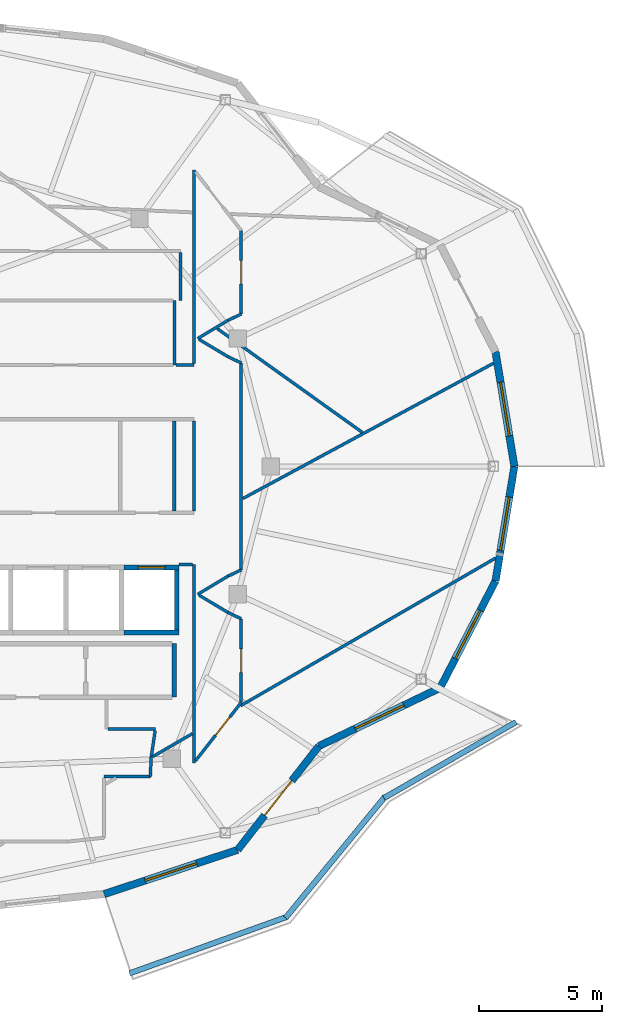
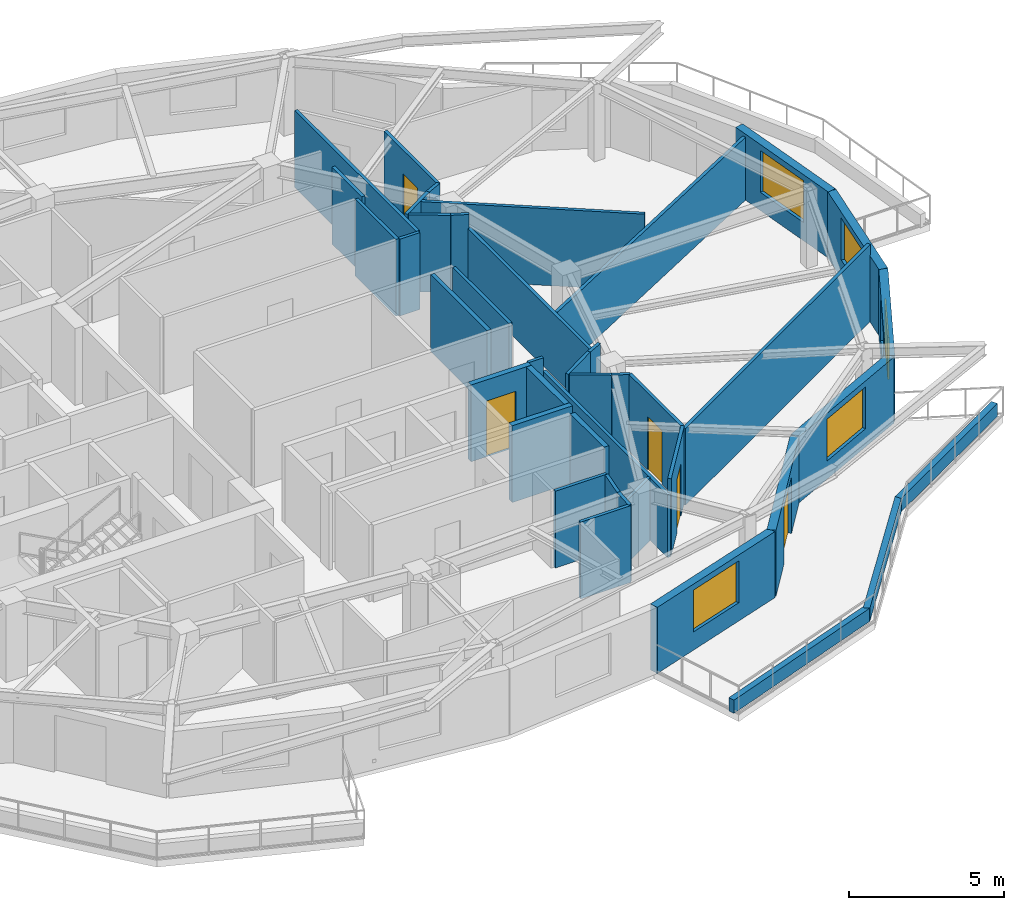
# One storey, part 6 of 9: 41 walls, 5 doors, 5 windows, 10 openings.
"""IFC4 building model written with IfcOpenShell, lengths in metres."""

from ifc_helpers import new_model, si_unit, direction, frame, frame_2d, origin, place, context, subcontext, project, spatial, rectangle, extrude, material, layer, layer_set, type_object, element, fill, save


model = new_model("IFC4")

# Units and contexts
model_context = context("Model", 3, precision=1e-05, world=origin(), true_north=direction((0.0, 1.0)))
body_context = subcontext(model_context, "Body", "Model", "MODEL_VIEW")
ifc_project = project(units=[si_unit("LENGTHUNIT", "METRE"), si_unit("AREAUNIT", "SQUARE_METRE"), si_unit("VOLUMEUNIT", "CUBIC_METRE"), si_unit("PLANEANGLEUNIT", "RADIAN"), si_unit("MASSUNIT", "GRAM", prefix="KILO")], contexts=[model_context])

# Site, building, storey
site_placement = place(None, origin())
site = spatial("IfcSite", under=ifc_project, at=site_placement, CompositionType="ELEMENT")
building_placement = place(site_placement, origin())
building = spatial("IfcBuilding", under=site, at=building_placement, Name="Kolvaren Gate Tower and Convention Centre", CompositionType="ELEMENT")
storey_placement = place(building_placement, frame((0.0, 0.0, 249.199951171875)))
storey = spatial("IfcBuildingStorey", under=building, at=storey_placement, Name="L67", CompositionType="ELEMENT", Elevation=249.199951171875)

# Walls
ifc_material_1 = material(Name="Autoclaved Aerated Masonry Blockwork Class 4 (4.0 MPa)", Category="masonry")
ifc_layer_1 = layer(ifc_material_1, 0.179931640625)
ifc_layer_set_1 = layer_set([ifc_layer_1], Name="Autoclaved Aerated Masonry Blockwork Class 4 (4.0 MPa)")
wall_type_1 = type_object("IfcWallType", Name="ARCH-WL-COMP-180", PredefinedType="SOLIDWALL", material=ifc_layer_set_1)
wall_1_placement = place(storey_placement, frame((38.800048828125, 17.6201171875, 0.0), z_axis=(0.0, 0.0, 1.0), x_axis=(0.0, 1.0, 0.0)))
element("IfcWall", 1, at=wall_1_placement, inside=storey, type_object=wall_type_1, Name="Interior Partition WL-L67-INT-021", PredefinedType="SOLIDWALL", context=body_context, shape_type="SweptSolid", body=[
    extrude(rectangle(XDim=2.179931640625, YDim=0.179931640625, at=frame_2d((1.08984375, 0.0))), origin(), (0.0, 0.0, 1.0), 3.030029296875),
])
ifc_material_2 = material(Name="Fire-Rated Acoustic Gypsum Stud Partition", Category="gypsum")
ifc_layer_2 = layer(ifc_material_2, 0.1201171875)
ifc_layer_set_2 = layer_set([ifc_layer_2], Name="Fire-Rated Acoustic Gypsum Stud Partition")
wall_type_2 = type_object("IfcWallType", Name="ARCH-WL-PART-120", PredefinedType="PARTITIONING", material=ifc_layer_set_2)
wall_2_placement = place(storey_placement, frame((38.800048828125, 31.1201171875, 0.0), z_axis=(0.0, 0.0, 1.0), x_axis=(0.0, 1.0, 0.0)))
element("IfcWall", 2, at=wall_2_placement, inside=storey, type_object=wall_type_2, Name="Interior Partition WL-L67-INT-023", PredefinedType="PARTITIONING", context=body_context, shape_type="SweptSolid", body=[
    extrude(rectangle(XDim=2.6298828125, YDim=0.1201171875, at=frame_2d((1.31494140625, 0.0))), origin(), (0.0, 0.0, 1.0), 3.030029296875),
])
wall_3_placement = place(storey_placement, frame((38.862060546875, 31.1201171875, 0.0), z_axis=(0.0, 0.0, 1.0), x_axis=(1.0, 0.0, 0.0)))
element("IfcWall", 3, at=wall_3_placement, inside=storey, type_object=wall_type_2, Name="Interior Partition WL-L67-INT-024 (2)", PredefinedType="PARTITIONING", context=body_context, shape_type="SweptSolid", body=[
    extrude(rectangle(XDim=0.738037109375, YDim=0.1201171875, at=frame_2d((0.369140625, 0.0))), origin(), (0.0, 0.0, 1.0), 3.030029296875),
])
wall_4_placement = place(storey_placement, frame((39.050048828125, 33.75, 0.0), z_axis=(0.0, 0.0, 1.0), x_axis=(0.0, 1.0, 0.0)))
element("IfcWall", 4, at=wall_4_placement, inside=storey, type_object=wall_type_2, Name="Interior Partition WL-L67-INT-033", PredefinedType="PARTITIONING", context=body_context, shape_type="SweptSolid", body=[
    extrude(rectangle(XDim=1.93798828125, YDim=0.1201171875, at=frame_2d((0.968994140625, 0.0))), origin(), (0.0, 0.0, 1.0), 3.030029296875),
])
wall_5_placement = place(storey_placement, frame((39.60009765625, 14.951904296875, 0.0), z_axis=(0.0, 0.0, 1.0), x_axis=(0.0, 1.0, 0.0)))
element("IfcWall", 5, at=wall_5_placement, inside=storey, type_object=wall_type_2, Name="Interior Partition WL-L67-INT-034", PredefinedType="PARTITIONING", context=body_context, shape_type="SweptSolid", body=[
    extrude(rectangle(XDim=8.068115234375, YDim=0.1201171875, at=frame_2d((4.0341796875, 0.0))), origin(), (0.0, 0.0, 1.0), 2.47802734375),
])
wall_6_placement = place(storey_placement, frame((39.60009765625, 25.197021484375, 0.0), z_axis=(0.0, 0.0, 1.0), x_axis=(0.0, 1.0, 0.0)))
element("IfcWall", 6, at=wall_6_placement, inside=storey, type_object=wall_type_2, Name="Interior Partition WL-L67-INT-035", PredefinedType="PARTITIONING", context=body_context, shape_type="SweptSolid", body=[
    extrude(rectangle(XDim=3.64599609375, YDim=0.1201171875, at=frame_2d((1.822998046875, 0.0))), origin(), (0.0, 0.0, 1.0), 3.030029296875),
])
wall_7_placement = place(storey_placement, frame((39.60009765625, 31.181884765625, 0.0), z_axis=(0.0, 0.0, 1.0), x_axis=(0.0, 1.0, 0.0)))
element("IfcWall", 7, at=wall_7_placement, inside=storey, type_object=wall_type_2, Name="Interior Partition WL-L67-INT-036", PredefinedType="PARTITIONING", context=body_context, shape_type="SweptSolid", body=[
    extrude(rectangle(XDim=7.8662109375, YDim=0.1201171875, at=frame_2d((3.93310546875, 0.0))), origin(), (0.0, 0.0, 1.0), 3.030029296875),
])

# Wall, opening, door
wall_8_placement = place(storey_placement, frame((41.52001953125, 17.404052734375, 0.0), z_axis=(0.0, 0.0, 1.0), x_axis=(0.0, 1.0, 0.0)))
wall_8 = element("IfcWall", 8, at=wall_8_placement, inside=storey, type_object=wall_type_2, Name="Interior Partition WL-L67-INT-038", PredefinedType="PARTITIONING", context=body_context, shape_type="SweptSolid", body=[
    extrude(rectangle(XDim=3.40283203125, YDim=0.1201171875, at=frame_2d((1.701416015625, 0.0))), origin(), (0.0, 0.0, 1.0), 3.030029296875),
])
opening_1_placement = place(wall_8_placement, frame((1.2265625, 0.0, 0.0)))
opening_1 = element("IfcOpeningElement", 9, at=opening_1_placement, cuts=wall_8, Name="Opening DR-01", PredefinedType="OPENING", context=body_context, shape_type="SweptSolid", body=[
    extrude(rectangle(XDim=0.949951171875, YDim=2.10009765625, at=frame_2d((0.47509765625, 1.050048828125))), frame((0.0, 0.070068359375, 0.0), z_axis=(0.0, -1.0, 0.0), x_axis=(1.0, 0.0, 0.0)), (0.0, 0.0, 1.0), 0.14013671875),
])
ifc_material_3 = material(Name="Painted Architectural Steelwork ASTM A500 Grade C 345 MPa", Category="steel")
door_type_1 = type_object("IfcDoorType", Name="ARCH-DR-RISER-950", OperationType="SINGLE_SWING_RIGHT", PredefinedType="DOOR", material=ifc_material_3)
door_1_placement = place(opening_1_placement, origin())
door_1 = element("IfcDoor", 10, at=door_1_placement, inside=storey, type_object=door_type_1, Name="Resident Private Study Door", OperationType="SINGLE_SWING_RIGHT", OverallHeight=2.10009765625, OverallWidth=0.949951171875, PredefinedType="DOOR", context=body_context, shape_type="SweptSolid", body=[
    extrude(rectangle(XDim=0.949951171875, YDim=2.10009765625, at=frame_2d((0.47509765625, 1.050048828125))), frame((0.0, 0.02490234375, 0.0), z_axis=(0.0, -1.0, 0.0), x_axis=(1.0, 0.0, 0.0)), (0.0, 0.0, 1.0), 0.050048828125),
])
fill(opening_1, door_1)

# Wall
wall_9_placement = place(storey_placement, frame((41.52001953125, 22.7939453125, 0.0), z_axis=(0.0, 0.0, 1.0), x_axis=(0.0, 1.0, 0.0)))
element("IfcWall", 11, at=wall_9_placement, inside=storey, type_object=wall_type_2, Name="Interior Partition WL-L67-INT-039", PredefinedType="PARTITIONING", context=body_context, shape_type="SweptSolid", body=[
    extrude(rectangle(XDim=8.412109375, YDim=0.1201171875, at=frame_2d((4.2060546875, 0.0))), origin(), (0.0, 0.0, 1.0), 2.47802734375),
])

# Wall, opening, door
wall_10_placement = place(storey_placement, frame((41.52001953125, 33.193115234375, 0.0), z_axis=(0.0, 0.0, 1.0), x_axis=(0.0, 1.0, 0.0)))
wall_10 = element("IfcWall", 12, at=wall_10_placement, inside=storey, type_object=wall_type_2, Name="Interior Partition WL-L67-INT-040", PredefinedType="PARTITIONING", context=body_context, shape_type="SweptSolid", body=[
    extrude(rectangle(XDim=3.40283203125, YDim=0.1201171875, at=frame_2d((1.701416015625, 0.0))), origin(), (0.0, 0.0, 1.0), 3.030029296875),
])
opening_2_placement = place(wall_10_placement, frame((1.2265625, 0.0, 0.0)))
opening_2 = element("IfcOpeningElement", 13, at=opening_2_placement, cuts=wall_10, Name="Opening DR-01", PredefinedType="OPENING", context=body_context, shape_type="SweptSolid", body=[
    extrude(rectangle(XDim=0.949951171875, YDim=2.10009765625, at=frame_2d((0.47509765625, 1.050048828125))), frame((0.0, 0.070068359375, 0.0), z_axis=(0.0, -1.0, 0.0), x_axis=(1.0, 0.0, 0.0)), (0.0, 0.0, 1.0), 0.14013671875),
])
door_2_placement = place(opening_2_placement, origin())
door_2 = element("IfcDoor", 14, at=door_2_placement, inside=storey, type_object=door_type_1, Name="Penthouse Strategy Boardroom Door", OperationType="SINGLE_SWING_LEFT", OverallHeight=2.10009765625, OverallWidth=0.949951171875, PredefinedType="DOOR", context=body_context, shape_type="SweptSolid", body=[
    extrude(rectangle(XDim=0.949951171875, YDim=2.10009765625, at=frame_2d((0.47509765625, 1.050048828125))), frame((0.0, 0.02490234375, 0.0), z_axis=(0.0, -1.0, 0.0), x_axis=(1.0, 0.0, 0.0)), (0.0, 0.0, 1.0), 0.050048828125),
])
fill(opening_2, door_2)

# Walls
wall_11_placement = place(storey_placement, frame((40.986083984375, 32.93994140625, 0.0), z_axis=(0.0, 0.0, 1.0), x_axis=(0.90356951601, 0.428441512621, 0.0)))
element("IfcWall", 15, at=wall_11_placement, inside=storey, type_object=wall_type_2, Name="Interior Partition WL-L67-INT-041", PredefinedType="PARTITIONING", context=body_context, shape_type="SweptSolid", body=[
    extrude(rectangle(XDim=0.5908203125, YDim=0.1201171875, at=frame_2d((0.29541015625, 0.0))), origin(), (0.0, 0.0, 1.0), 3.030029296875),
])
wall_12_placement = place(storey_placement, frame((39.75, 32.198974609375, 0.0), z_axis=(0.0, 0.0, 1.0), x_axis=(0.857702120906, 0.514146935996, 0.0)))
element("IfcWall", 16, at=wall_12_placement, inside=storey, type_object=wall_type_2, Name="Interior Partition WL-L67-INT-042", PredefinedType="PARTITIONING", context=body_context, shape_type="SweptSolid", body=[
    extrude(rectangle(XDim=1.441162109375, YDim=0.1201171875, at=frame_2d((0.720703125, 0.0))), origin(), (0.0, 0.0, 1.0), 3.030029296875),
])
wall_13_placement = place(storey_placement, frame((39.810302734375, 32.162841796875, 0.0), z_axis=(0.0, 0.0, 1.0), x_axis=(0.858011245414, -0.513630901273, 0.0)))
element("IfcWall", 17, at=wall_13_placement, inside=storey, type_object=wall_type_2, Name="Interior Partition WL-L67-INT-043", PredefinedType="PARTITIONING", context=body_context, shape_type="SweptSolid", body=[
    extrude(rectangle(XDim=1.370361328125, YDim=0.1201171875, at=frame_2d((0.68505859375, 0.0))), origin(), (0.0, 0.0, 1.0), 3.030029296875),
])
for number, where, z_axis, x_axis, name in (
    (18, (40.986083984375, 31.458984375, 0.0), (0.0, 0.0, 1.0), (0.903729424576, -0.428104107847, 0.0), "Interior Partition WL-L67-INT-044"),
    (19, (40.986083984375, 22.541015625, 0.0), (0.0, 0.0, 1.0), (0.903729424576, 0.428104107847, 0.0), "Interior Partition WL-L67-INT-045"),
):
    element("IfcWall", number, at=place(storey_placement, frame(where, z_axis=z_axis, x_axis=x_axis)), inside=storey, type_object=wall_type_2, Name=name, PredefinedType="PARTITIONING", context=body_context, shape_type="SweptSolid", body=[
        extrude(rectangle(XDim=0.5908203125, YDim=0.1201171875, at=frame_2d((0.29541015625, 0.0))), origin(), (0.0, 0.0, 1.0), 3.030029296875),
    ])
wall_14_placement = place(storey_placement, frame((39.75, 21.800048828125, 0.0), z_axis=(0.0, 0.0, 1.0), x_axis=(0.857702120906, 0.514146935996, 0.0)))
element("IfcWall", 20, at=wall_14_placement, inside=storey, type_object=wall_type_2, Name="Interior Partition WL-L67-INT-046", PredefinedType="PARTITIONING", context=body_context, shape_type="SweptSolid", body=[
    extrude(rectangle(XDim=1.441162109375, YDim=0.1201171875, at=frame_2d((0.720703125, 0.0))), origin(), (0.0, 0.0, 1.0), 3.030029296875),
])
wall_15_placement = place(storey_placement, frame((39.810302734375, 21.763916015625, 0.0), z_axis=(0.0, 0.0, 1.0), x_axis=(0.858011245414, -0.513630901273, 0.0)))
element("IfcWall", 21, at=wall_15_placement, inside=storey, type_object=wall_type_2, Name="Interior Partition WL-L67-INT-047", PredefinedType="PARTITIONING", context=body_context, shape_type="SweptSolid", body=[
    extrude(rectangle(XDim=1.370361328125, YDim=0.1201171875, at=frame_2d((0.68505859375, 0.0))), origin(), (0.0, 0.0, 1.0), 3.030029296875),
])
wall_16_placement = place(storey_placement, frame((40.986083984375, 21.06005859375, 0.0), z_axis=(0.0, 0.0, 1.0), x_axis=(0.90356951601, -0.428441512621, 0.0)))
element("IfcWall", 22, at=wall_16_placement, inside=storey, type_object=wall_type_2, Name="Interior Partition WL-L67-INT-048", PredefinedType="PARTITIONING", context=body_context, shape_type="SweptSolid", body=[
    extrude(rectangle(XDim=0.5908203125, YDim=0.1201171875, at=frame_2d((0.29541015625, 0.0))), origin(), (0.0, 0.0, 1.0), 3.030029296875),
])

# Wall, opening, door
wall_17_placement = place(storey_placement, frame((39.662109375, 15.03125, 0.0), z_axis=(0.0, 0.0, 1.0), x_axis=(0.616500468458, 0.787354540465, 0.0)))
wall_17 = element("IfcWall", 23, at=wall_17_placement, inside=storey, type_object=wall_type_2, Name="Interior Partition WL-L67-INT-049", PredefinedType="PARTITIONING", context=body_context, shape_type="SweptSolid", body=[
    extrude(rectangle(XDim=3.013671875, YDim=0.1201171875, at=frame_2d((1.5068359375, 0.0))), origin(), (0.0, 0.0, 1.0), 3.030029296875),
])
opening_3_placement = place(wall_17_placement, frame((1.311767578125, 0.0, 0.0)))
opening_3 = element("IfcOpeningElement", 24, at=opening_3_placement, cuts=wall_17, Name="Opening DR-01", PredefinedType="OPENING", context=body_context, shape_type="SweptSolid", body=[
    extrude(rectangle(XDim=0.949951171875, YDim=2.10009765625, at=frame_2d((0.47509765625, 1.050048828125))), frame((0.0, 0.070068359375, 0.0), z_axis=(0.0, -1.0, 0.0), x_axis=(1.0, 0.0, 0.0)), (0.0, 0.0, 1.0), 0.14013671875),
])
door_3_placement = place(opening_3_placement, origin())
door_3 = element("IfcDoor", 25, at=door_3_placement, inside=storey, type_object=door_type_1, Name="Penthouse Strategy Boardroom Door", OperationType="SINGLE_SWING_LEFT", OverallHeight=2.10009765625, OverallWidth=0.949951171875, PredefinedType="DOOR", context=body_context, shape_type="SweptSolid", body=[
    extrude(rectangle(XDim=0.949951171875, YDim=2.10009765625, at=frame_2d((0.47509765625, 1.050048828125))), frame((0.0, 0.02490234375, 0.0), z_axis=(0.0, -1.0, 0.0), x_axis=(1.0, 0.0, 0.0)), (0.0, 0.0, 1.0), 0.050048828125),
])
fill(opening_3, door_3)

# Walls
wall_18_placement = place(storey_placement, frame((39.0, 23.02001953125, 0.0), z_axis=(0.0, 0.0, 1.0), x_axis=(1.0, 0.0, 0.0)))
element("IfcWall", 26, at=wall_18_placement, inside=storey, type_object=wall_type_2, Name="Interior Partition WL-L67-INT-050", PredefinedType="PARTITIONING", context=body_context, shape_type="SweptSolid", body=[
    extrude(rectangle(XDim=0.5380859375, YDim=0.1201171875, at=frame_2d((0.26904296875, 0.0))), origin(), (0.0, 0.0, 1.0), 3.030029296875),
])
wall_19_placement = place(storey_placement, frame((36.112060546875, 16.320068359375, 0.0), z_axis=(0.0, 0.0, 1.0), x_axis=(1.0, 0.0, 0.0)))
element("IfcWall", 27, at=wall_19_placement, inside=storey, type_object=wall_type_2, Name="Interior Partition WL-L67-INT-053", PredefinedType="PARTITIONING", context=body_context, shape_type="SweptSolid", body=[
    extrude(rectangle(XDim=1.9208984375, YDim=0.1201171875, at=frame_2d((0.96044921875, 0.0))), origin(), (0.0, 0.0, 1.0), 3.030029296875),
])
wall_20_placement = place(storey_placement, frame((37.862060546875, 15.200927734375, 0.0), z_axis=(0.0, 0.0, 1.0), x_axis=(0.150907653202, 0.988547864398, 0.0)))
element("IfcWall", 28, at=wall_20_placement, inside=storey, type_object=wall_type_2, Name="Interior Partition WL-L67-INT-054", PredefinedType="PARTITIONING", context=body_context, shape_type="SweptSolid", body=[
    extrude(rectangle(XDim=1.0693359375, YDim=0.1201171875, at=frame_2d((0.53466796875, 0.0))), origin(), (0.0, 0.0, 1.0), 3.030029296875),
])
wall_21_placement = place(storey_placement, frame((37.822998046875, 14.39990234375, 0.0), z_axis=(0.0, 0.0, 1.0), x_axis=(0.04870773904, 0.998813073682, 0.0)))
element("IfcWall", 29, at=wall_21_placement, inside=storey, type_object=wall_type_2, Name="Interior Partition WL-L67-INT-055", PredefinedType="PARTITIONING", context=body_context, shape_type="SweptSolid", body=[
    extrude(rectangle(XDim=0.802001953125, YDim=0.1201171875, at=frame_2d((0.40087890625, 0.0))), origin(), (0.0, 0.0, 1.0), 3.030029296875),
])
wall_22_placement = place(storey_placement, frame((35.949951171875, 14.39990234375, 0.0), z_axis=(0.0, 0.0, 1.0), x_axis=(1.0, 0.0, 0.0)))
element("IfcWall", 30, at=wall_22_placement, inside=storey, type_object=wall_type_2, Name="Interior Partition WL-L67-INT-057", PredefinedType="PARTITIONING", context=body_context, shape_type="SweptSolid", body=[
    extrude(rectangle(XDim=1.873046875, YDim=0.1201171875, at=frame_2d((0.9365234375, 0.0))), origin(), (0.0, 0.0, 1.0), 3.030029296875),
])
wall_23_placement = place(storey_placement, frame((41.58203125, 25.692626953125, 0.0), z_axis=(0.0, 0.0, 1.0), x_axis=(0.880032375067, 0.474913696195, 0.0)))
element("IfcWall", 31, at=wall_23_placement, inside=storey, type_object=wall_type_2, Name="Interior Partition WL-L67-INT-067", PredefinedType="PARTITIONING", context=body_context, shape_type="SweptSolid", body=[
    extrude(rectangle(XDim=11.5888671875, YDim=0.1201171875, at=frame_2d((5.79443359375, 0.0))), origin(), (0.0, 0.0, 1.0), 2.47802734375),
])
wall_24_placement = place(storey_placement, frame((37.92529296875, 15.2041015625, 0.0), z_axis=(0.0, 0.0, 1.0), x_axis=(0.865342568062, 0.501180845505, 0.0)))
element("IfcWall", 32, at=wall_24_placement, inside=storey, type_object=wall_type_2, Name="Interior Partition WL-L67-INT-070", PredefinedType="PARTITIONING", context=body_context, shape_type="SweptSolid", body=[
    extrude(rectangle(XDim=1.86376953125, YDim=0.1201171875, at=frame_2d((0.931884765625, 0.0))), origin(), (0.0, 0.0, 1.0), 2.47802734375),
])
wall_25_placement = place(storey_placement, frame((41.4951171875, 17.271728515625, 0.0), z_axis=(0.0, 0.0, 1.0), x_axis=(0.865359277242, 0.501151994201, 0.0)))
element("IfcWall", 33, at=wall_25_placement, inside=storey, type_object=wall_type_2, Name="Interior Partition WL-L67-INT-071", PredefinedType="PARTITIONING", context=body_context, shape_type="SweptSolid", body=[
    extrude(rectangle(XDim=11.974853515625, YDim=0.1201171875, at=frame_2d((5.9873046875, 0.0))), origin(), (0.0, 0.0, 1.0), 3.030029296875),
])
wall_26_placement = place(storey_placement, frame((40.5458984375, 32.603759765625, 0.0), z_axis=(0.0, 0.0, 1.0), x_axis=(0.813264440548, -0.581894277116, 0.0)))
element("IfcWall", 34, at=wall_26_placement, inside=storey, type_object=wall_type_2, Name="Interior Partition WL-L67-INT-073", PredefinedType="PARTITIONING", context=body_context, shape_type="SweptSolid", body=[
    extrude(rectangle(XDim=7.249267578125, YDim=0.1201171875, at=frame_2d((3.62451171875, 0.0))), origin(), (0.0, 0.0, 1.0), 3.030029296875),
])
ifc_material_4 = material(Name="Piedmont Cream Honed Limestone Cladding", Category="masonry")
ifc_layer_3 = layer(ifc_material_4, 0.219970703125)
ifc_layer_set_3 = layer_set([ifc_layer_3], Name="Piedmont Cream Honed Limestone Cladding")
wall_type_3 = type_object("IfcWallType", Name="ARCH-WL-PLANTER-220", PredefinedType="PARAPET", material=ifc_layer_set_3)
wall_27_placement = place(storey_placement, frame((36.982177734375, 6.3916015625, 0.0), z_axis=(0.0, 0.0, 1.0), x_axis=(0.941139090914, 0.338019543152, 0.0)))
element("IfcWall", 35, at=wall_27_placement, inside=storey, type_object=wall_type_3, Name="Vertical-Forest Balcony Stone Planter Kerb PK-L67-4.1", PredefinedType="PARAPET", context=body_context, shape_type="SweptSolid", body=[
    extrude(rectangle(XDim=6.806640625, YDim=0.219970703125, at=frame_2d((3.4033203125, 0.0))), origin(), (0.0, 0.0, 1.0), 0.52001953125),
])
wall_28_placement = place(storey_placement, frame((43.322998046875, 8.64599609375, 0.0), z_axis=(0.0, 0.0, 1.0), x_axis=(0.63407318032, 0.77327304492, 0.0)))
element("IfcWall", 36, at=wall_28_placement, inside=storey, type_object=wall_type_3, Name="Vertical-Forest Balcony Stone Planter Kerb PK-L67-4.2", PredefinedType="PARAPET", context=body_context, shape_type="SweptSolid", body=[
    extrude(rectangle(XDim=6.37890625, YDim=0.219970703125, at=frame_2d((3.189453125, 0.0))), origin(), (0.0, 0.0, 1.0), 0.52001953125),
])
wall_29_placement = place(storey_placement, frame((47.3212890625, 13.5205078125, 0.0), z_axis=(0.0, 0.0, 1.0), x_axis=(0.866901621005, 0.49847926687, 0.0)))
element("IfcWall", 37, at=wall_29_placement, inside=storey, type_object=wall_type_3, Name="Vertical-Forest Balcony Stone Planter Kerb PK-L67-4.3", PredefinedType="PARAPET", context=body_context, shape_type="SweptSolid", body=[
    extrude(rectangle(XDim=6.196533203125, YDim=0.219970703125, at=frame_2d((3.09814453125, 0.0))), origin(), (0.0, 0.0, 1.0), 0.52001953125),
])

# Wall, opening, door
ifc_layer_4 = layer(ifc_material_1, 0.199951171875)
ifc_layer_set_4 = layer_set([ifc_layer_4], Name="Autoclaved Aerated Masonry Blockwork Class 4 (4.0 MPa)")
wall_type_4 = type_object("IfcWallType", Name="ARCH-WL-SHAFT-200", PredefinedType="SOLIDWALL", material=ifc_layer_set_4)
wall_30_placement = place(storey_placement, frame((36.75, 22.89990234375, 0.0), z_axis=(0.0, 0.0, 1.0), x_axis=(1.0, 0.0, 0.0)))
wall_30 = element("IfcWall", 38, at=wall_30_placement, inside=storey, type_object=wall_type_4, Name="Elevator PL-12 L67 Fire Shaft Wall N", PredefinedType="SOLIDWALL", context=body_context, shape_type="SweptSolid", body=[
    extrude(rectangle(XDim=2.25, YDim=0.199951171875, at=frame_2d((1.125, 0.0))), origin(), (0.0, 0.0, 1.0), 3.030029296875),
])
opening_4_placement = place(wall_30_placement, frame((0.574951171875, 0.0, 0.0)))
opening_4 = element("IfcOpeningElement", 39, at=opening_4_placement, cuts=wall_30, Name="Opening LD", PredefinedType="OPENING", context=body_context, shape_type="SweptSolid", body=[
    extrude(rectangle(XDim=1.10009765625, YDim=2.199951171875, at=frame_2d((0.550048828125, 1.10009765625))), frame((0.0, 0.10986328125, 0.0), z_axis=(0.0, -1.0, 0.0), x_axis=(1.0, 0.0, 0.0)), (0.0, 0.0, 1.0), 0.219970703125),
])
ifc_material_5 = material(Name="Brushed Stainless Steel Grade 316L", Category="steel")
door_type_2 = type_object("IfcDoorType", Name="ARCH-DR-LIFT-1100", OperationType="SLIDING_TO_LEFT", PredefinedType="DOOR", material=ifc_material_5)
door_4_placement = place(opening_4_placement, origin())
door_4 = element("IfcDoor", 40, at=door_4_placement, inside=storey, type_object=door_type_2, Name="Elevator PL-12 L67 Sliding Landing Door", OperationType="SLIDING_TO_LEFT", OverallHeight=2.199951171875, OverallWidth=1.10009765625, PredefinedType="DOOR", context=body_context, shape_type="SweptSolid", body=[
    extrude(rectangle(XDim=1.10009765625, YDim=2.199951171875, at=frame_2d((0.550048828125, 1.10009765625))), frame((0.0, 0.02490234375, 0.0), z_axis=(0.0, -1.0, 0.0), x_axis=(1.0, 0.0, 0.0)), (0.0, 0.0, 1.0), 0.050048828125),
])
fill(opening_4, door_4)

# Walls
wall_31_placement = place(storey_placement, frame((36.75, 20.25, 0.0), z_axis=(0.0, 0.0, 1.0), x_axis=(1.0, 0.0, 0.0)))
element("IfcWall", 41, at=wall_31_placement, inside=storey, type_object=wall_type_4, Name="Elevator PL-12 L67 Fire Shaft Wall S", PredefinedType="SOLIDWALL", context=body_context, shape_type="SweptSolid", body=[
    extrude(rectangle(XDim=2.25, YDim=0.199951171875, at=frame_2d((1.125, 0.0))), origin(), (0.0, 0.0, 1.0), 3.030029296875),
])
wall_32_placement = place(storey_placement, frame((38.89990234375, 20.360107421875, 0.0), z_axis=(0.0, 0.0, 1.0), x_axis=(0.0, 1.0, 0.0)))
element("IfcWall", 42, at=wall_32_placement, inside=storey, type_object=wall_type_4, Name="Elevator PL-12 L67 Fire Shaft Wall E", PredefinedType="SOLIDWALL", context=body_context, shape_type="SweptSolid", body=[
    extrude(rectangle(XDim=2.429931640625, YDim=0.199951171875, at=frame_2d((1.21484375, 0.0))), origin(), (0.0, 0.0, 1.0), 3.030029296875),
])

# Wall, opening, window
ifc_layer_5 = layer(ifc_material_4, 0.300048828125)
ifc_layer_set_5 = layer_set([ifc_layer_5], Name="Piedmont Cream Honed Limestone Cladding")
wall_type_5 = type_object("IfcWallType", Name="ARCH-WL-STONE-300", PredefinedType="SOLIDWALL", material=ifc_layer_set_5)
wall_33_placement = place(storey_placement, frame((51.8583984375, 31.65869140625, 0.0), z_axis=(0.0, 0.0, 1.0), x_axis=(0.162369371657, -0.986730047758, 0.0)))
wall_33 = element("IfcWall", 43, at=wall_33_placement, inside=storey, type_object=wall_type_5, Name="Tower L67 Honed Stone Spandrel Wall EW-00", PredefinedType="SOLIDWALL", context=body_context, shape_type="SweptSolid", body=[
    extrude(rectangle(XDim=4.721435546875, YDim=0.300048828125, at=frame_2d((2.36083984375, 0.0))), origin(), (0.0, 0.0, 1.0), 2.60498046875),
])
opening_5_placement = place(wall_33_placement, frame((1.260986328125, 0.0, 0.719970703125)))
opening_5 = element("IfcOpeningElement", 44, at=opening_5_placement, cuts=wall_33, Name="Opening W-03", PredefinedType="OPENING", context=body_context, shape_type="SweptSolid", body=[
    extrude(rectangle(XDim=2.199951171875, YDim=1.64990234375, at=frame_2d((1.10009765625, 0.824951171875))), frame((0.0, 0.159912109375, 0.0), z_axis=(0.0, -1.0, 0.0), x_axis=(1.0, 0.0, 0.0)), (0.0, 0.0, 1.0), 0.320068359375),
])
ifc_material_6 = material(Name="Low-E Triple Insulated Glazing Unit 44 mm", Category="glass")
window_type = type_object("IfcWindowType", Name="ARCH-WN-RES-2200", PartitioningType="SINGLE_PANEL", PredefinedType="WINDOW", material=ifc_material_6)
window_1_placement = place(opening_5_placement, origin())
window_1 = element("IfcWindow", 45, at=window_1_placement, inside=storey, type_object=window_type, Name="Tower L67 Punched Stone Facade Window W-00", OverallHeight=1.64990234375, OverallWidth=2.199951171875, PartitioningType="SINGLE_PANEL", PredefinedType="WINDOW", context=body_context, shape_type="SweptSolid", body=[
    extrude(rectangle(XDim=2.199951171875, YDim=1.64990234375, at=frame_2d((1.10009765625, 0.824951171875))), frame((0.0, 0.030029296875, 0.0), z_axis=(0.0, -1.0, 0.0), x_axis=(1.0, 0.0, 0.0)), (0.0, 0.0, 1.0), 0.06005859375),
])
fill(opening_5, window_1)

wall_34_placement = place(storey_placement, frame((35.948486328125, 9.61328125, 0.0), z_axis=(0.0, 0.0, 1.0), x_axis=(0.949232769585, 0.314574552605, 0.0)))
wall_34 = element("IfcWall", 46, at=wall_34_placement, inside=storey, type_object=wall_type_5, Name="Tower L67 Honed Stone Spandrel Wall EW-19", PredefinedType="SOLIDWALL", context=body_context, shape_type="SweptSolid", body=[
    extrude(rectangle(XDim=5.716796875, YDim=0.300048828125, at=frame_2d((2.8583984375, 0.0))), origin(), (0.0, 0.0, 1.0), 2.60498046875),
])
opening_6_placement = place(wall_34_placement, frame((1.758056640625, 0.0, 0.719970703125)))
opening_6 = element("IfcOpeningElement", 47, at=opening_6_placement, cuts=wall_34, Name="Opening W-03", PredefinedType="OPENING", context=body_context, shape_type="SweptSolid", body=[
    extrude(rectangle(XDim=2.199951171875, YDim=1.64990234375, at=frame_2d((1.10009765625, 0.824951171875))), frame((0.0, 0.159912109375, 0.0), z_axis=(0.0, -1.0, 0.0), x_axis=(1.0, 0.0, 0.0)), (0.0, 0.0, 1.0), 0.320068359375),
])
window_2_placement = place(opening_6_placement, origin())
window_2 = element("IfcWindow", 48, at=window_2_placement, inside=storey, type_object=window_type, Name="Tower L67 Punched Stone Facade Window W-19", OverallHeight=1.64990234375, OverallWidth=2.199951171875, PartitioningType="SINGLE_PANEL", PredefinedType="WINDOW", context=body_context, shape_type="SweptSolid", body=[
    extrude(rectangle(XDim=2.199951171875, YDim=1.64990234375, at=frame_2d((1.10009765625, 0.824951171875))), frame((0.0, 0.030029296875, 0.0), z_axis=(0.0, -1.0, 0.0), x_axis=(1.0, 0.0, 0.0)), (0.0, 0.0, 1.0), 0.06005859375),
])
fill(opening_6, window_2)

# Wall, opening, door
wall_35_placement = place(storey_placement, frame((41.375, 11.41162109375, 0.0), z_axis=(0.0, 0.0, 1.0), x_axis=(0.61644588519, 0.787397276241, 0.0)))
wall_35 = element("IfcWall", 49, at=wall_35_placement, inside=storey, type_object=wall_type_5, Name="Tower L67 Honed Stone Spandrel Wall EW-20", PredefinedType="SOLIDWALL", context=body_context, shape_type="SweptSolid", body=[
    extrude(rectangle(XDim=5.35693359375, YDim=0.300048828125, at=frame_2d((2.678466796875, 0.0))), origin(), (0.0, 0.0, 1.0), 2.60498046875),
])
opening_7_placement = place(wall_35_placement, frame((1.779052734375, 0.0, 0.0)))
opening_7 = element("IfcOpeningElement", 50, at=opening_7_placement, cuts=wall_35, Name="Opening DB-01", PredefinedType="OPENING", context=body_context, shape_type="SweptSolid", body=[
    extrude(rectangle(XDim=1.800048828125, YDim=2.25, at=frame_2d((0.89990234375, 1.125))), frame((0.0, 0.159912109375, 0.0), z_axis=(0.0, -1.0, 0.0), x_axis=(1.0, 0.0, 0.0)), (0.0, 0.0, 1.0), 0.320068359375),
])
ifc_material_7 = material(Name="Anodized Architectural Aluminium Alloy 6063-T6", Category="aluminium")
door_type_3 = type_object("IfcDoorType", Name="ARCH-DR-BALC-1800", OperationType="SLIDING_TO_LEFT", PredefinedType="DOOR", material=ifc_material_7)
door_5_placement = place(opening_7_placement, frame((1.800048828125, 0.0, 0.0), z_axis=(0.0, 0.0, 1.0), x_axis=(-1.0, 0.0, 0.0)))
door_5 = element("IfcDoor", 51, at=door_5_placement, inside=storey, type_object=door_type_3, Name="Planted Sky Terrace Access Door DB-L67-20", OperationType="SLIDING_TO_LEFT", OverallHeight=2.25, OverallWidth=1.800048828125, PredefinedType="DOOR", context=body_context, shape_type="SweptSolid", body=[
    extrude(rectangle(XDim=1.800048828125, YDim=2.25, at=frame_2d((0.89990234375, 1.125))), frame((0.0, 0.02490234375, 0.0), z_axis=(0.0, -1.0, 0.0), x_axis=(1.0, 0.0, 0.0)), (0.0, 0.0, 1.0), 0.050048828125),
])
fill(opening_7, door_5)

# Wall, opening, window
wall_36_placement = place(storey_placement, frame((44.67724609375, 15.629638671875, 0.0), z_axis=(0.0, 0.0, 1.0), x_axis=(0.901355238351, 0.433080517106, 0.0)))
wall_36 = element("IfcWall", 52, at=wall_36_placement, inside=storey, type_object=wall_type_5, Name="Tower L67 Honed Stone Spandrel Wall EW-21", PredefinedType="SOLIDWALL", context=body_context, shape_type="SweptSolid", body=[
    extrude(rectangle(XDim=5.47314453125, YDim=0.300048828125, at=frame_2d((2.736572265625, 0.0))), origin(), (0.0, 0.0, 1.0), 2.60498046875),
])
opening_8_placement = place(wall_36_placement, frame((1.636962890625, 0.0, 0.719970703125)))
opening_8 = element("IfcOpeningElement", 53, at=opening_8_placement, cuts=wall_36, Name="Opening W-03", PredefinedType="OPENING", context=body_context, shape_type="SweptSolid", body=[
    extrude(rectangle(XDim=2.199951171875, YDim=1.64990234375, at=frame_2d((1.10009765625, 0.824951171875))), frame((0.0, 0.159912109375, 0.0), z_axis=(0.0, -1.0, 0.0), x_axis=(1.0, 0.0, 0.0)), (0.0, 0.0, 1.0), 0.320068359375),
])
window_3_placement = place(opening_8_placement, origin())
window_3 = element("IfcWindow", 54, at=window_3_placement, inside=storey, type_object=window_type, Name="Tower L67 Punched Stone Facade Window W-21", OverallHeight=1.64990234375, OverallWidth=2.199951171875, PartitioningType="SINGLE_PANEL", PredefinedType="WINDOW", context=body_context, shape_type="SweptSolid", body=[
    extrude(rectangle(XDim=2.199951171875, YDim=1.64990234375, at=frame_2d((1.10009765625, 0.824951171875))), frame((0.0, 0.030029296875, 0.0), z_axis=(0.0, -1.0, 0.0), x_axis=(1.0, 0.0, 0.0)), (0.0, 0.0, 1.0), 0.06005859375),
])
fill(opening_8, window_3)

wall_37_placement = place(storey_placement, frame((49.610595703125, 18.0, 0.0), z_axis=(0.0, 0.0, 1.0), x_axis=(0.459793771602, 0.888025724625, 0.0)))
wall_37 = element("IfcWall", 55, at=wall_37_placement, inside=storey, type_object=wall_type_5, Name="Tower L67 Honed Stone Spandrel Wall EW-22", PredefinedType="SOLIDWALL", context=body_context, shape_type="SweptSolid", body=[
    extrude(rectangle(XDim=4.888671875, YDim=0.300048828125, at=frame_2d((2.4443359375, 0.0))), origin(), (0.0, 0.0, 1.0), 2.60498046875),
])
opening_9_placement = place(wall_37_placement, frame((1.343994140625, 0.0, 0.719970703125)))
opening_9 = element("IfcOpeningElement", 56, at=opening_9_placement, cuts=wall_37, Name="Opening W-03", PredefinedType="OPENING", context=body_context, shape_type="SweptSolid", body=[
    extrude(rectangle(XDim=2.199951171875, YDim=1.64990234375, at=frame_2d((1.10009765625, 0.824951171875))), frame((0.0, 0.159912109375, 0.0), z_axis=(0.0, -1.0, 0.0), x_axis=(1.0, 0.0, 0.0)), (0.0, 0.0, 1.0), 0.320068359375),
])
window_4_placement = place(opening_9_placement, origin())
window_4 = element("IfcWindow", 57, at=window_4_placement, inside=storey, type_object=window_type, Name="Tower L67 Punched Stone Facade Window W-22", OverallHeight=1.64990234375, OverallWidth=2.199951171875, PartitioningType="SINGLE_PANEL", PredefinedType="WINDOW", context=body_context, shape_type="SweptSolid", body=[
    extrude(rectangle(XDim=2.199951171875, YDim=1.64990234375, at=frame_2d((1.10009765625, 0.824951171875))), frame((0.0, 0.030029296875, 0.0), z_axis=(0.0, -1.0, 0.0), x_axis=(1.0, 0.0, 0.0)), (0.0, 0.0, 1.0), 0.06005859375),
])
fill(opening_9, window_4)

wall_38_placement = place(storey_placement, frame((51.8583984375, 22.34130859375, 0.0), z_axis=(0.0, 0.0, 1.0), x_axis=(0.162369371657, 0.986730047758, 0.0)))
wall_38 = element("IfcWall", 58, at=wall_38_placement, inside=storey, type_object=wall_type_5, Name="Tower L67 Honed Stone Spandrel Wall EW-23", PredefinedType="SOLIDWALL", context=body_context, shape_type="SweptSolid", body=[
    extrude(rectangle(XDim=4.721435546875, YDim=0.300048828125, at=frame_2d((2.36083984375, 0.0))), origin(), (0.0, 0.0, 1.0), 2.60498046875),
])
opening_10_placement = place(wall_38_placement, frame((1.260986328125, 0.0, 0.719970703125)))
opening_10 = element("IfcOpeningElement", 59, at=opening_10_placement, cuts=wall_38, Name="Opening W-03", PredefinedType="OPENING", context=body_context, shape_type="SweptSolid", body=[
    extrude(rectangle(XDim=2.199951171875, YDim=1.64990234375, at=frame_2d((1.10009765625, 0.824951171875))), frame((0.0, 0.159912109375, 0.0), z_axis=(0.0, -1.0, 0.0), x_axis=(1.0, 0.0, 0.0)), (0.0, 0.0, 1.0), 0.320068359375),
])
window_5_placement = place(opening_10_placement, origin())
window_5 = element("IfcWindow", 60, at=window_5_placement, inside=storey, type_object=window_type, Name="Tower L67 Punched Stone Facade Window W-23", OverallHeight=1.64990234375, OverallWidth=2.199951171875, PartitioningType="SINGLE_PANEL", PredefinedType="WINDOW", context=body_context, shape_type="SweptSolid", body=[
    extrude(rectangle(XDim=2.199951171875, YDim=1.64990234375, at=frame_2d((1.10009765625, 0.824951171875))), frame((0.0, 0.030029296875, 0.0), z_axis=(0.0, -1.0, 0.0), x_axis=(1.0, 0.0, 0.0)), (0.0, 0.0, 1.0), 0.06005859375),
])
fill(opening_10, window_5)

# Wall
ifc_material_8 = material(Name="Moisture-Resistant Cement-Board Acoustic Partition", Category="gypsum")
ifc_layer_6 = layer(ifc_material_8, 0.14990234375)
ifc_layer_set_6 = layer_set([ifc_layer_6], Name="Moisture-Resistant Cement-Board Acoustic Partition")
wall_type_6 = type_object("IfcWallType", Name="ARCH-WL-WET-150", PredefinedType="PARTITIONING", material=ifc_layer_set_6)
wall_39_placement = place(storey_placement, frame((38.800048828125, 25.197021484375, 0.0), z_axis=(0.0, 0.0, 1.0), x_axis=(0.0, 1.0, 0.0)))
element("IfcWall", 61, at=wall_39_placement, inside=storey, type_object=wall_type_6, Name="Interior Partition WL-L67-INT-022", PredefinedType="PARTITIONING", context=body_context, shape_type="SweptSolid", body=[
    extrude(rectangle(XDim=3.64599609375, YDim=0.14990234375, at=frame_2d((1.822998046875, 0.0))), origin(), (0.0, 0.0, 1.0), 3.030029296875),
])

save(model, "model.ifc")
